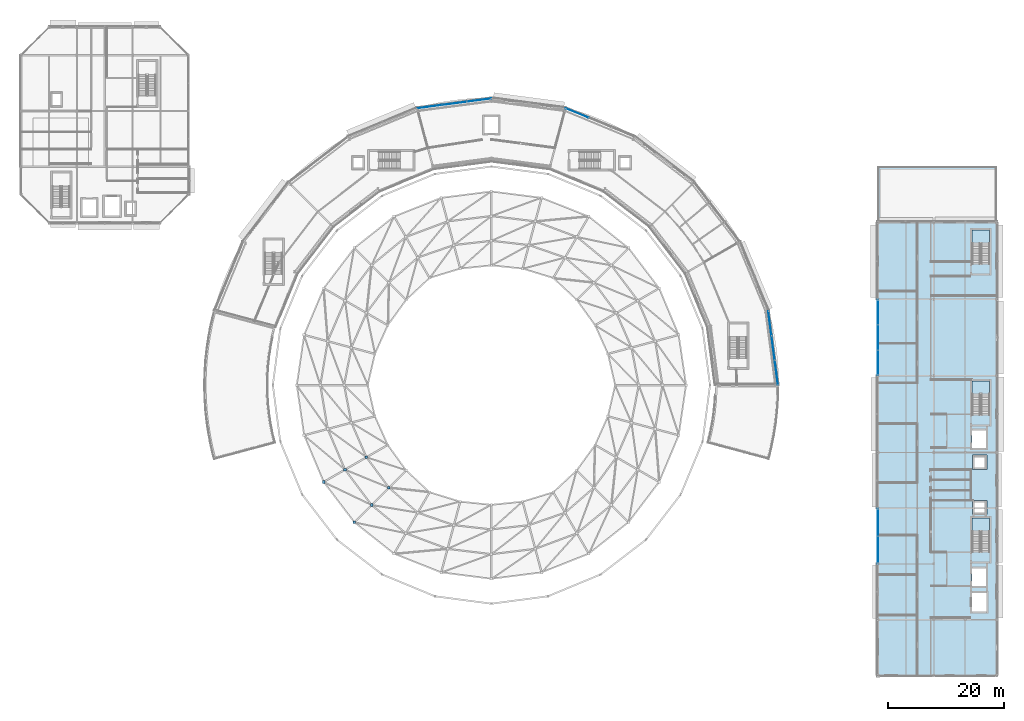
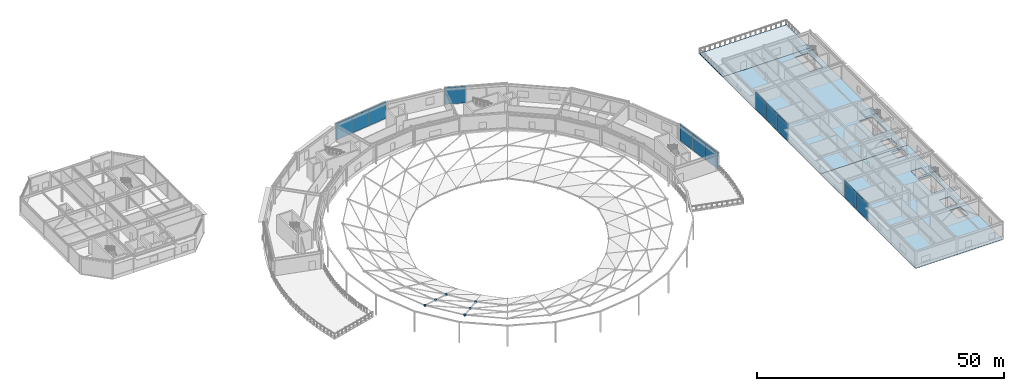
# One storey, part 56 of 89: 18 plates, 6 slabs, 8 elements without a shape of their own.
"""IFC4 building model written with IfcOpenShell, lengths in metres."""

from ifc_helpers import new_model, si_unit, direction, frame, origin, origin_2d, place, context, subcontext, project, spatial, polyline, rectangle, outline, extrude, material, layer, layer_set, type_object, element, aggregate, save


model = new_model("IFC4")

# Units and contexts
model_context = context("Model", 3, precision=1e-05, world=origin(), true_north=direction((0.0, 1.0)))
body_context = subcontext(model_context, "Body", "Model", "MODEL_VIEW")
ifc_project = project(units=[si_unit("LENGTHUNIT", "METRE"), si_unit("AREAUNIT", "SQUARE_METRE"), si_unit("VOLUMEUNIT", "CUBIC_METRE"), si_unit("PLANEANGLEUNIT", "RADIAN"), si_unit("MASSUNIT", "GRAM", prefix="KILO")], contexts=[model_context])

# Site, building, storey
site_placement = place(None, origin())
site = spatial("IfcSite", under=ifc_project, at=site_placement, CompositionType="ELEMENT")
building_placement = place(site_placement, origin())
building = spatial("IfcBuilding", under=site, at=building_placement, Name="Almandine Court Research Institute", CompositionType="ELEMENT")
storey_placement = place(building_placement, frame((0.0, 0.0, 18.89990234375)))
storey = spatial("IfcBuildingStorey", under=building, at=storey_placement, Name="L04", CompositionType="ELEMENT", Elevation=18.89990234375)

# Curtain wall, plate
ifc_material_1 = material(Name="Unitised Curtain Wall Framing and Solar Glazing", Category="glass")
curtain_wall_type_1 = type_object("IfcCurtainWallType", Name="CW-CWG-22", PredefinedType="USERDEFINED", material=ifc_material_1)
curtain_wall_1_placement = place(storey_placement, origin())
curtain_wall_1 = element("IfcCurtainWall", 1, at=curtain_wall_1_placement, inside=storey, type_object=curtain_wall_type_1, Name="L04 Stacked-Ring Drum Outer Unitised Glazing 04", ObjectType="UNITISED GLAZING", PredefinedType="USERDEFINED")
ifc_material_2 = material(Name="Double-Glazed Low-E Argon Insulated Glass", Category="glass")
ifc_layer_1 = layer(ifc_material_2, 0.028076171875)
ifc_layer_set_1 = layer_set([ifc_layer_1], Name="Double-Glazed Low-E Argon Insulated Glass")
plate_type_1 = type_object("IfcPlateType", Name="CWPnl-GLZ-28", PredefinedType="CURTAIN_PANEL", material=ifc_layer_set_1)
plate_1_placement = place(storey_placement, frame((101.77587890625, 102.849853515625, 0.06005859375), z_axis=(0.0, 0.0, 1.0), x_axis=(0.923888124321, -0.382662689242, 0.0)))
plate_1 = element("IfcPlate", 2, at=plate_1_placement, type_object=plate_type_1, Name="CWG-22 panel 1.1", PredefinedType="CURTAIN_PANEL", context=body_context, shape_type="SweptSolid", body=[
    extrude(rectangle(XDim=4.20263671875, YDim=0.028076171875, at=origin_2d()), origin(), (0.0, 0.0, 1.0), 4.18994140625),
])
aggregate(curtain_wall_1, [plate_1])

# Curtain wall, plates
curtain_wall_2_placement = place(storey_placement, origin())
curtain_wall_2 = element("IfcCurtainWall", 3, at=curtain_wall_2_placement, inside=storey, type_object=curtain_wall_type_1, Name="L04 Stacked-Ring Drum Outer Unitised Glazing 06", ObjectType="UNITISED GLAZING", PredefinedType="USERDEFINED")
plate_2_placement = place(storey_placement, frame((76.371826171875, 103.961181640625, 0.06005859375), z_axis=(0.0, 0.0, 1.0), x_axis=(0.991442926098, 0.130540891259, 0.0)))
plate_2 = element("IfcPlate", 4, at=plate_2_placement, type_object=plate_type_1, Name="CWG-22 panel 1.1", PredefinedType="CURTAIN_PANEL", context=body_context, shape_type="SweptSolid", body=[
    extrude(rectangle(XDim=4.202392578125, YDim=0.028076171875, at=origin_2d()), origin(), (0.0, 0.0, 1.0), 4.18994140625),
])
plate_3_placement = place(storey_placement, frame((80.612548828125, 104.51953125, 0.06005859375), z_axis=(0.0, 0.0, 1.0), x_axis=(0.991442926098, 0.130540891259, 0.0)))
plate_3 = element("IfcPlate", 5, at=plate_3_placement, type_object=plate_type_1, Name="CWG-22 panel 2.1", PredefinedType="CURTAIN_PANEL", context=body_context, shape_type="SweptSolid", body=[
    extrude(rectangle(XDim=4.232421875, YDim=0.028076171875, at=origin_2d()), origin(), (0.0, 0.0, 1.0), 4.18994140625),
])
plate_4_placement = place(storey_placement, frame((84.853271484375, 105.077880859375, 0.06005859375), z_axis=(0.0, 0.0, 1.0), x_axis=(0.991442926098, 0.130540891259, 0.0)))
plate_4 = element("IfcPlate", 6, at=plate_4_placement, type_object=plate_type_1, Name="CWG-22 panel 3.1", PredefinedType="CURTAIN_PANEL", context=body_context, shape_type="SweptSolid", body=[
    extrude(rectangle(XDim=4.202392578125, YDim=0.028076171875, at=origin_2d()), origin(), (0.0, 0.0, 1.0), 4.18994140625),
])
aggregate(curtain_wall_2, [plate_2, plate_3, plate_4])

curtain_wall_type_2 = type_object("IfcCurtainWallType", Name="CW-CWJ-09", PredefinedType="USERDEFINED", material=ifc_material_1)
curtain_wall_3_placement = place(storey_placement, origin())
curtain_wall_3 = element("IfcCurtainWall", 7, at=curtain_wall_3_placement, inside=storey, type_object=curtain_wall_type_2, Name="L04 Wet Lab West Courtyard Jali Curtain Wall 3", ObjectType="SOLAR JALI SCREEN", PredefinedType="USERDEFINED")
ifc_material_3 = material(Name="Perforated Ochre Terracotta Jali Solar Cassette", Category="masonry")
ifc_layer_2 = layer(ifc_material_3, 0.035888671875)
ifc_layer_set_2 = layer_set([ifc_layer_2], Name="Perforated Ochre Terracotta Jali Solar Cassette")
plate_type_2 = type_object("IfcPlateType", Name="CWPnl-JALI-36", PredefinedType="CURTAIN_PANEL", material=ifc_layer_set_2)
plate_5_placement = place(storey_placement, frame((153.60009765625, 27.6181640625, 0.06494140625), z_axis=(0.0, 0.0, 1.0), x_axis=(0.0, 1.0, 0.0)))
plate_5 = element("IfcPlate", 8, at=plate_5_placement, type_object=plate_type_2, Name="CWJ-09 panel 1.1", PredefinedType="CURTAIN_PANEL", context=body_context, shape_type="SweptSolid", body=[
    extrude(rectangle(XDim=4.698486328125, YDim=0.035888671875, at=origin_2d()), origin(), (0.0, 0.0, 1.0), 4.239990234375),
])
plate_6_placement = place(storey_placement, frame((153.60009765625, 32.3818359375, 0.06494140625), z_axis=(0.0, 0.0, 1.0), x_axis=(0.0, 1.0, 0.0)))
plate_6 = element("IfcPlate", 9, at=plate_6_placement, type_object=plate_type_2, Name="CWJ-09 panel 2.1", PredefinedType="CURTAIN_PANEL", context=body_context, shape_type="SweptSolid", body=[
    extrude(rectangle(XDim=4.698486328125, YDim=0.035888671875, at=origin_2d()), origin(), (0.0, 0.0, 1.0), 4.239990234375),
])
aggregate(curtain_wall_3, [plate_5, plate_6])

curtain_wall_type_3 = type_object("IfcCurtainWallType", Name="CW-CWJ-16", PredefinedType="USERDEFINED", material=ifc_material_1)
curtain_wall_4_placement = place(storey_placement, origin())
curtain_wall_4 = element("IfcCurtainWall", 10, at=curtain_wall_4_placement, inside=storey, type_object=curtain_wall_type_3, Name="L04 Wet Lab West Courtyard Jali Curtain Wall 6", ObjectType="SOLAR JALI SCREEN", PredefinedType="USERDEFINED")
plate_7_placement = place(storey_placement, frame((153.60009765625, 59.81884765625, 0.06494140625), z_axis=(0.0, 0.0, 1.0), x_axis=(0.0, 1.0, 0.0)))
plate_7 = element("IfcPlate", 11, at=plate_7_placement, type_object=plate_type_2, Name="CWJ-16 panel 1.1", PredefinedType="CURTAIN_PANEL", context=body_context, shape_type="SweptSolid", body=[
    extrude(rectangle(XDim=4.2998046875, YDim=0.035888671875, at=origin_2d()), origin(), (0.0, 0.0, 1.0), 4.239990234375),
])
plate_8_placement = place(storey_placement, frame((153.60009765625, 64.199951171875, 0.06494140625), z_axis=(0.0, 0.0, 1.0), x_axis=(0.0, 1.0, 0.0)))
plate_8 = element("IfcPlate", 12, at=plate_8_placement, type_object=plate_type_2, Name="CWJ-16 panel 2.1", PredefinedType="CURTAIN_PANEL", context=body_context, shape_type="SweptSolid", body=[
    extrude(rectangle(XDim=4.332275390625, YDim=0.035888671875, at=origin_2d()), origin(), (0.0, 0.0, 1.0), 4.239990234375),
])
plate_9_placement = place(storey_placement, frame((153.60009765625, 68.5810546875, 0.06494140625), z_axis=(0.0, 0.0, 1.0), x_axis=(0.0, 1.0, 0.0)))
plate_9 = element("IfcPlate", 13, at=plate_9_placement, type_object=plate_type_2, Name="CWJ-16 panel 3.1", PredefinedType="CURTAIN_PANEL", context=body_context, shape_type="SweptSolid", body=[
    extrude(rectangle(XDim=4.2998046875, YDim=0.035888671875, at=origin_2d()), origin(), (0.0, 0.0, 1.0), 4.239990234375),
])
aggregate(curtain_wall_4, [plate_7, plate_8, plate_9])

curtain_wall_type_4 = type_object("IfcCurtainWallType", Name="CW-CWJ-21", PredefinedType="USERDEFINED", material=ifc_material_1)
curtain_wall_5_placement = place(storey_placement, origin())
curtain_wall_5 = element("IfcCurtainWall", 14, at=curtain_wall_5_placement, inside=storey, type_object=curtain_wall_type_4, Name="L04 Stacked-Ring Drum Outer Solar Jali Screen 00", ObjectType="SOLAR JALI SCREEN", PredefinedType="USERDEFINED")
plate_10_placement = place(storey_placement, frame((134.961181640625, 66.626953125, 0.06494140625), z_axis=(0.0, 0.0, 1.0), x_axis=(0.130540891259, -0.991442926098, 0.0)))
plate_10 = element("IfcPlate", 15, at=plate_10_placement, type_object=plate_type_2, Name="CWJ-21 panel 1.1", PredefinedType="CURTAIN_PANEL", context=body_context, shape_type="SweptSolid", body=[
    extrude(rectangle(XDim=4.19482421875, YDim=0.035888671875, at=origin_2d()), origin(), (0.0, 0.0, 1.0), 4.179931640625),
])
plate_11_placement = place(storey_placement, frame((135.51953125, 62.387451171875, 0.06494140625), z_axis=(0.0, 0.0, 1.0), x_axis=(0.130540891259, -0.991442926098, 0.0)))
plate_11 = element("IfcPlate", 16, at=plate_11_placement, type_object=plate_type_2, Name="CWJ-21 panel 2.1", PredefinedType="CURTAIN_PANEL", context=body_context, shape_type="SweptSolid", body=[
    extrude(rectangle(XDim=4.227294921875, YDim=0.035888671875, at=origin_2d()), origin(), (0.0, 0.0, 1.0), 4.179931640625),
])
plate_12_placement = place(storey_placement, frame((136.07763671875, 58.14794921875, 0.06494140625), z_axis=(0.0, 0.0, 1.0), x_axis=(0.130540891259, -0.991442926098, 0.0)))
plate_12 = element("IfcPlate", 17, at=plate_12_placement, type_object=plate_type_2, Name="CWJ-21 panel 3.1", PredefinedType="CURTAIN_PANEL", context=body_context, shape_type="SweptSolid", body=[
    extrude(rectangle(XDim=4.19482421875, YDim=0.035888671875, at=origin_2d()), origin(), (0.0, 0.0, 1.0), 4.179931640625),
])
aggregate(curtain_wall_5, [plate_10, plate_11, plate_12])

# Plates
ifc_material_4 = material(Name="Steel ASTM A36", Category="steel")
ifc_layer_3 = layer(ifc_material_4, 0.419921875)
ifc_layer_set_3 = layer_set([ifc_layer_3], Name="Steel ASTM A36")
plate_type_3 = type_object("IfcPlateType", Name="Plate-NP-01", PredefinedType="SHEET", material=ifc_layer_set_3)
for number, where, z_axis, x_axis, name in (
    (18, (58.087890625, 39.30810546875, 3.783203125), (0.0, 0.0, 1.0), (1.0, 0.0, 0.0), "Atrium Conical Gridshell Welded Star Node R1-S14"),
    (19, (61.781982421875, 41.43994140625, 2.526123046875), (0.0, 0.0, 1.0), (1.0, 0.0, 0.0), "Atrium Conical Gridshell Welded Star Node R2-S14"),
    (20, (65.47509765625, 43.572998046875, 1.26904296875), (0.0, 0.0, 1.0), (1.0, 0.0, 0.0), "Atrium Conical Gridshell Welded Star Node R3-S14"),
    (21, (63.365966796875, 32.365966796875, 3.783203125), (0.0, 0.0, 1.0), (1.0, 0.0, 0.0), "Atrium Conical Gridshell Welded Star Node R1-S15"),
    (22, (66.35400390625, 35.35400390625, 2.526123046875), (0.0, 0.0, 1.0), (1.0, 0.0, 0.0), "Atrium Conical Gridshell Welded Star Node R2-S15"),
    (23, (69.342041015625, 38.342041015625, 1.26904296875), (0.0, 0.0, 1.0), (1.0, 0.0, 0.0), "Atrium Conical Gridshell Welded Star Node R3-S15"),
):
    element("IfcPlate", number, at=place(storey_placement, frame(where, z_axis=z_axis, x_axis=x_axis)), inside=storey, type_object=plate_type_3, Name=name, PredefinedType="SHEET", context=body_context, shape_type="SweptSolid", body=[
        extrude(rectangle(XDim=0.43994140625, YDim=0.43994140625, at=origin_2d()), origin(), (0.0, 0.0, 1.0), 0.419921875),
    ])

# Slabs
ifc_material_5 = material(Name="Concrete C35/45", Category="concrete")
ifc_layer_4 = layer(ifc_material_5, 0.179931640625)
ifc_layer_set_4 = layer_set([ifc_layer_4], Name="Concrete C35/45")
slab_type_1 = type_object("IfcSlabType", Name="Slab-FLR-180", PredefinedType="FLOOR", material=ifc_layer_set_4)
slab_1_placement = place(storey_placement, frame((0.0, 0.0, -0.179931640625)))
element("IfcSlab", 24, at=slab_1_placement, inside=storey, type_object=slab_type_1, Name="L04 Volume 4 Wet Laboratory S Floor Slab", PredefinedType="FLOOR", context=body_context, shape_type="SweptSolid", body=[
    extrude(outline(polyline([(153.60009765625, 6.0), (174.0, 6.0), (174.0, 44.39990234375), (153.60009765625, 44.39990234375), (153.60009765625, 6.0)]), holes=[polyline([(172.800048828125, 27.25), (172.800048828125, 33.10009765625), (169.800048828125, 33.10009765625), (169.800048828125, 27.25), (172.800048828125, 27.25)]), polyline([(169.800048828125, 21.39990234375), (172.199951171875, 21.39990234375), (172.199951171875, 24.39990234375), (169.800048828125, 24.39990234375), (169.800048828125, 21.39990234375)]), polyline([(169.800048828125, 17.0), (172.300048828125, 17.0), (172.300048828125, 20.199951171875), (169.800048828125, 20.199951171875), (169.800048828125, 17.0)]), polyline([(169.8798828125, 33.679931640625), (172.320068359375, 33.679931640625), (172.320068359375, 36.1201171875), (169.8798828125, 36.1201171875), (169.8798828125, 33.679931640625)]), polyline([(169.8798828125, 41.47998046875), (172.320068359375, 41.47998046875), (172.320068359375, 43.919921875), (169.8798828125, 43.919921875), (169.8798828125, 41.47998046875)])]), origin(), (0.0, 0.0, 1.0), 0.179931640625),
])
slab_2_placement = place(storey_placement, frame((0.0, 0.0, -0.179931640625)))
element("IfcSlab", 25, at=slab_2_placement, inside=storey, type_object=slab_type_1, Name="L04 Volume 4 Wet Laboratory N Floor Slab", PredefinedType="FLOOR", context=body_context, shape_type="SweptSolid", body=[
    extrude(outline(polyline([(153.60009765625, 44.39990234375), (174.0, 44.39990234375), (174.0, 84.0), (153.60009765625, 84.0), (153.60009765625, 44.39990234375)]), holes=[polyline([(172.800048828125, 50.85009765625), (172.800048828125, 56.699951171875), (169.800048828125, 56.699951171875), (169.800048828125, 50.85009765625), (172.800048828125, 50.85009765625)]), polyline([(172.800048828125, 76.85009765625), (172.800048828125, 82.699951171875), (169.800048828125, 82.699951171875), (169.800048828125, 76.85009765625), (172.800048828125, 76.85009765625)]), polyline([(169.800048828125, 45.199951171875), (172.199951171875, 45.199951171875), (172.199951171875, 48.199951171875), (169.800048828125, 48.199951171875), (169.800048828125, 45.199951171875)])]), origin(), (0.0, 0.0, 1.0), 0.179931640625),
])

# Stair, slab
stair_type = type_object("IfcStairType", Name="Stair-Core-26R", PredefinedType="HALF_TURN_STAIR", material=ifc_material_5)
stair_1_placement = place(storey_placement, origin())
stair_1 = element("IfcStair", 26, at=stair_1_placement, inside=storey, type_object=stair_type, Name="L04 Wet Lab South High-Rise Core Stair", PredefinedType="HALF_TURN_STAIR")
ifc_layer_5 = layer(ifc_material_5, 0.179931640625)
ifc_layer_set_5 = layer_set([ifc_layer_5], Name="Concrete C35/45")
slab_type_2 = type_object("IfcSlabType", Name="Slab-Landing-180", PredefinedType="LANDING", material=ifc_layer_set_5)
slab_3_placement = place(storey_placement, frame((0.0, 0.0, 2.09521484375)))
slab_3 = element("IfcSlab", 27, at=slab_3_placement, type_object=slab_type_2, Name="ST-07 landing 1", PredefinedType="LANDING", context=body_context, shape_type="SweptSolid", body=[
    extrude(outline(polyline([(172.800048828125, 30.85009765625), (172.800048828125, 33.10009765625), (169.800048828125, 33.10009765625), (169.800048828125, 30.85009765625), (172.800048828125, 30.85009765625)])), origin(), (0.0, 0.0, 1.0), 0.179931640625),
])
aggregate(stair_1, [slab_3])

stair_2_placement = place(storey_placement, origin())
stair_2 = element("IfcStair", 28, at=stair_2_placement, inside=storey, type_object=stair_type, Name="L04 Wet Lab Central High-Rise Core Stair", PredefinedType="HALF_TURN_STAIR")
slab_4_placement = place(storey_placement, frame((0.0, 0.0, 2.09521484375)))
slab_4 = element("IfcSlab", 29, at=slab_4_placement, type_object=slab_type_2, Name="ST-08 landing 1", PredefinedType="LANDING", context=body_context, shape_type="SweptSolid", body=[
    extrude(outline(polyline([(172.800048828125, 54.449951171875), (172.800048828125, 56.699951171875), (169.800048828125, 56.699951171875), (169.800048828125, 54.449951171875), (172.800048828125, 54.449951171875)])), origin(), (0.0, 0.0, 1.0), 0.179931640625),
])
aggregate(stair_2, [slab_4])

stair_3_placement = place(storey_placement, origin())
stair_3 = element("IfcStair", 30, at=stair_3_placement, inside=storey, type_object=stair_type, Name="L04 Wet Lab North Exit Stair", PredefinedType="HALF_TURN_STAIR")
slab_5_placement = place(storey_placement, frame((0.0, 0.0, 2.09521484375)))
slab_5 = element("IfcSlab", 31, at=slab_5_placement, type_object=slab_type_2, Name="ST-13 landing 1", PredefinedType="LANDING", context=body_context, shape_type="SweptSolid", body=[
    extrude(outline(polyline([(172.800048828125, 80.449951171875), (172.800048828125, 82.699951171875), (169.800048828125, 82.699951171875), (169.800048828125, 80.449951171875), (172.800048828125, 80.449951171875)])), origin(), (0.0, 0.0, 1.0), 0.179931640625),
])
aggregate(stair_3, [slab_5])

# Slab
ifc_layer_6 = layer(ifc_material_5, 0.22509765625)
ifc_layer_set_6 = layer_set([ifc_layer_6], Name="Concrete C35/45")
slab_type_3 = type_object("IfcSlabType", Name="Slab-TER-225", PredefinedType="FLOOR", material=ifc_layer_set_6)
slab_6_placement = place(storey_placement, frame((0.0, 0.0, -0.224853515625)))
element("IfcSlab", 32, at=slab_6_placement, inside=storey, type_object=slab_type_3, Name="L04 Volume 4 Stepped Planted Roof Garden Slab", PredefinedType="FLOOR", context=body_context, shape_type="SweptSolid", body=[
    extrude(outline(polyline([(153.60009765625, 84.0), (174.0, 84.0), (174.0, 93.60009765625), (153.60009765625, 93.60009765625), (153.60009765625, 84.0)])), origin(), (0.0, 0.0, 1.0), 0.224853515625),
])

save(model, "model.ifc")
